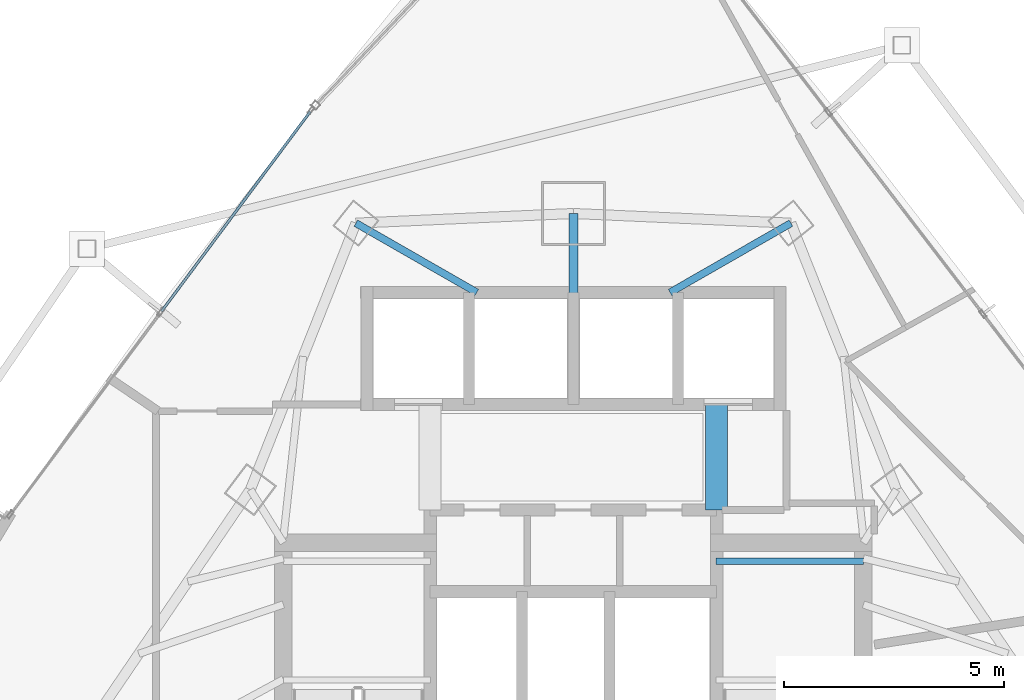
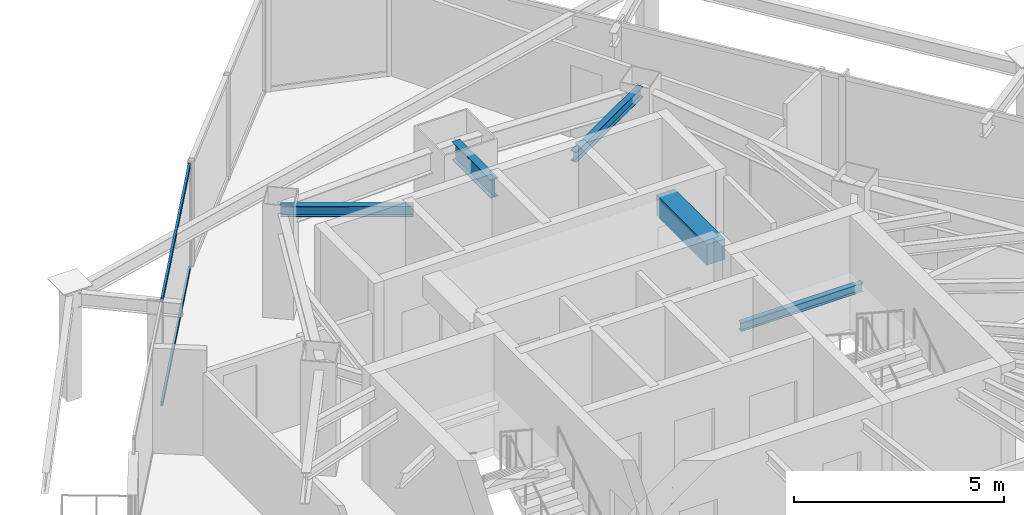
# One storey, part 21 of 33: 5 beams, 2 members, 1 element without a shape of its own.
"""IFC4 building model written with IfcOpenShell, lengths in metres."""

from ifc_helpers import new_model, si_unit, direction, frame, origin, origin_2d, place, context, subcontext, project, spatial, rectangle, hollow_rectangle, i_section, extrude, material, layer, layer_set, material_profile, profile_set, type_object, element, aggregate, save


model = new_model("IFC4")

# Units and contexts
model_context = context("Model", 3, precision=1e-05, world=origin(), true_north=direction((0.0, 1.0)))
body_context = subcontext(model_context, "Body", "Model", "MODEL_VIEW")
ifc_project = project(units=[si_unit("LENGTHUNIT", "METRE"), si_unit("AREAUNIT", "SQUARE_METRE"), si_unit("VOLUMEUNIT", "CUBIC_METRE"), si_unit("PLANEANGLEUNIT", "RADIAN"), si_unit("MASSUNIT", "GRAM", prefix="KILO")], contexts=[model_context])

# Site, building, storey
site_placement = place(None, origin())
site = spatial("IfcSite", under=ifc_project, at=site_placement, CompositionType="ELEMENT")
building_placement = place(site_placement, origin())
building = spatial("IfcBuilding", under=site, at=building_placement, Name="Orvanel Arch Residences", CompositionType="ELEMENT")
storey_placement = place(building_placement, frame((0.0, 0.0, 123.199951171875)))
storey = spatial("IfcBuildingStorey", under=building, at=storey_placement, Name="L34", CompositionType="ELEMENT", Elevation=123.199951171875)

# Beams
ifc_material_1 = material(Name="Structural steel AS/NZS 3679.1 Grade 300 (300 MPa)", Category="steel")
ifc_material_profile_1 = material_profile(ifc_material_1, i_section(OverallWidth=0.208984375, OverallDepth=0.532958984375, WebThickness=0.01025390625, FlangeThickness=0.015625, at=origin_2d()), Name="530UB92.4")
ifc_profile_set_1 = profile_set([ifc_material_profile_1], Name="Structural steel AS/NZS 3679.1 Grade 300 (300 MPa)")
beam_type_1 = type_object("IfcBeamType", Name="BG-530UB", PredefinedType="BEAM", material=ifc_profile_set_1)
beam_1_placement = place(storey_placement, frame((33.0, 39.550048828125, 2.7939453125), z_axis=(0.0, 1.0, 0.0), x_axis=(-1.0, 0.0, 0.0)))
element("IfcBeam", 1, at=beam_1_placement, inside=storey, type_object=beam_type_1, Name="L34 North Radial Girder", PredefinedType="BEAM", context=body_context, shape_type="SweptSolid", body=[
    extrude(i_section(OverallWidth=0.208984375, OverallDepth=0.532958984375, WebThickness=0.01025390625, FlangeThickness=0.015625, at=origin_2d()), origin(), (0.0, 0.0, 1.0), 1.847900390625),
])
ifc_material_profile_2 = material_profile(ifc_material_1, i_section(OverallWidth=0.14599609375, OverallDepth=0.251953125, WebThickness=0.006103515625, FlangeThickness=0.008544921875, at=origin_2d()), Name="250UB31.4")
ifc_profile_set_2 = profile_set([ifc_material_profile_2], Name="Structural steel AS/NZS 3679.1 Grade 300 (300 MPa)")
beam_type_2 = type_object("IfcBeamType", Name="BJ-250UB", PredefinedType="JOIST", material=ifc_profile_set_2)
beam_2_placement = place(storey_placement, frame((36.25, 33.47998046875, 1.323974609375), z_axis=(1.0, 0.0, 0.0), x_axis=(0.0, 1.0, 0.0)))
element("IfcBeam", 2, at=beam_2_placement, inside=storey, type_object=beam_type_2, Name="L34 ST-2 Half-Landing Support Beam 1.2", PredefinedType="JOIST", context=body_context, shape_type="SweptSolid", body=[
    extrude(i_section(OverallWidth=0.14599609375, OverallDepth=0.251953125, WebThickness=0.006103515625, FlangeThickness=0.008544921875, at=origin_2d()), origin(), (0.0, 0.0, 1.0), 3.35009765625),
])
ifc_material_profile_3 = material_profile(ifc_material_1, i_section(OverallWidth=0.1650390625, OverallDepth=0.303955078125, WebThickness=0.006103515625, FlangeThickness=0.01025390625, at=origin_2d()), Name="310UB40.4")
ifc_profile_set_3 = profile_set([ifc_material_profile_3], Name="Structural steel AS/NZS 3679.1 Grade 300 (300 MPa)")
beam_type_3 = type_object("IfcBeamType", Name="BJ-310UB", PredefinedType="JOIST", material=ifc_profile_set_3)
for number, where, z_axis, x_axis, name in (
    (3, (30.800048828125, 39.60009765625, 2.907958984375), (-0.86736513383, 0.497672306458, 0.0), (-0.497672306458, -0.86736513383, 0.0), "L34 MNW Wing Floor Joist"),
    (4, (35.199951171875, 39.60009765625, 2.907958984375), (0.86736513383, 0.497672306458, 0.0), (-0.497672306458, 0.86736513383, 0.0), "L34 MNE Wing Floor Joist"),
):
    element("IfcBeam", number, at=place(storey_placement, frame(where, z_axis=z_axis, x_axis=x_axis)), inside=storey, type_object=beam_type_3, Name=name, PredefinedType="JOIST", context=body_context, shape_type="SweptSolid", body=[
        extrude(i_section(OverallWidth=0.1650390625, OverallDepth=0.303955078125, WebThickness=0.006103515625, FlangeThickness=0.01025390625, at=origin_2d()), origin(), (0.0, 0.0, 1.0), 3.17041015625),
    ])
ifc_material_2 = material(Name="Concrete S65 (65 MPa)", Category="concrete")
ifc_material_profile_4 = material_profile(ifc_material_2, rectangle(XDim=0.5, YDim=0.60009765625, at=origin_2d()), Name="RC500x600")
ifc_profile_set_4 = profile_set([ifc_material_profile_4], Name="Concrete S65 (65 MPa)")
beam_type_4 = type_object("IfcBeamType", Name="CB-500x600", PredefinedType="LINTEL", material=ifc_profile_set_4)
beam_3_placement = place(storey_placement, frame((36.260009765625, 34.64990234375, 2.760009765625), z_axis=(0.0, 1.0, 0.0), x_axis=(-1.0, 0.0, 0.0)))
element("IfcBeam", 5, at=beam_3_placement, inside=storey, type_object=beam_type_4, Name="L34 East Core Lobby Coupling Lintel Beam", PredefinedType="LINTEL", context=body_context, shape_type="SweptSolid", body=[
    extrude(rectangle(XDim=0.5, YDim=0.60009765625, at=origin_2d()), origin(), (0.0, 0.0, 1.0), 2.400146484375),
])

# Curtain wall, members
ifc_material_3 = material(Name="Bronze-anodised aluminium AA6063-T6", Category="aluminium")
ifc_layer = layer(ifc_material_3, 0.179931640625)
ifc_layer_set = layer_set([ifc_layer], Name="Bronze-anodised aluminium AA6063-T6")
curtain_wall_type = type_object("IfcCurtainWallType", Name="CW3-MID-SYS", PredefinedType="NOTDEFINED", material=ifc_layer_set)
curtain_wall_placement = place(storey_placement, origin())
curtain_wall = element("IfcCurtainWall", 6, at=curtain_wall_placement, inside=storey, type_object=curtain_wall_type, Name="L34 CW3-MID-SYS Unitised Curtain Wall", PredefinedType="NOTDEFINED")
ifc_material_profile_5 = material_profile(ifc_material_3, hollow_rectangle(XDim=0.06005859375, YDim=0.135009765625, WallThickness=0.00390625, at=origin_2d()), Name="ALU135x60x4")
ifc_profile_set_5 = profile_set([ifc_material_profile_5], Name="Bronze-anodised aluminium AA6063-T6")
member_type = type_object("IfcMemberType", Name="TRN-135x60", PredefinedType="USERDEFINED", material=ifc_profile_set_5)
member_1_placement = place(storey_placement, frame((27.01123046875, 43.7177734375, 0.030029296875), z_axis=(-0.597175890933, -0.802110313666, 0.0), x_axis=(0.802110313666, -0.597175890933, 0.0)))
member_1 = element("IfcMember", 7, at=member_1_placement, type_object=member_type, Name="CW-S3 transom 1.1", ObjectType="TRANSOM", PredefinedType="USERDEFINED", context=body_context, shape_type="SweptSolid", body=[
    extrude(hollow_rectangle(XDim=0.06005859375, YDim=0.135009765625, WallThickness=0.00390625, at=origin_2d()), origin(), (0.0, 0.0, 1.0), 5.664794921875),
])
member_2_placement = place(storey_placement, frame((27.01123046875, 43.7177734375, 3.030029296875), z_axis=(-0.597175890933, -0.802110313666, 0.0), x_axis=(0.802110313666, -0.597175890933, 0.0)))
member_2 = element("IfcMember", 8, at=member_2_placement, type_object=member_type, Name="CW-S3 transom 1.2", ObjectType="TRANSOM", PredefinedType="USERDEFINED", context=body_context, shape_type="SweptSolid", body=[
    extrude(hollow_rectangle(XDim=0.06005859375, YDim=0.135009765625, WallThickness=0.00390625, at=origin_2d()), origin(), (0.0, 0.0, 1.0), 5.664794921875),
])
aggregate(curtain_wall, [member_1, member_2])

save(model, "model.ifc")
